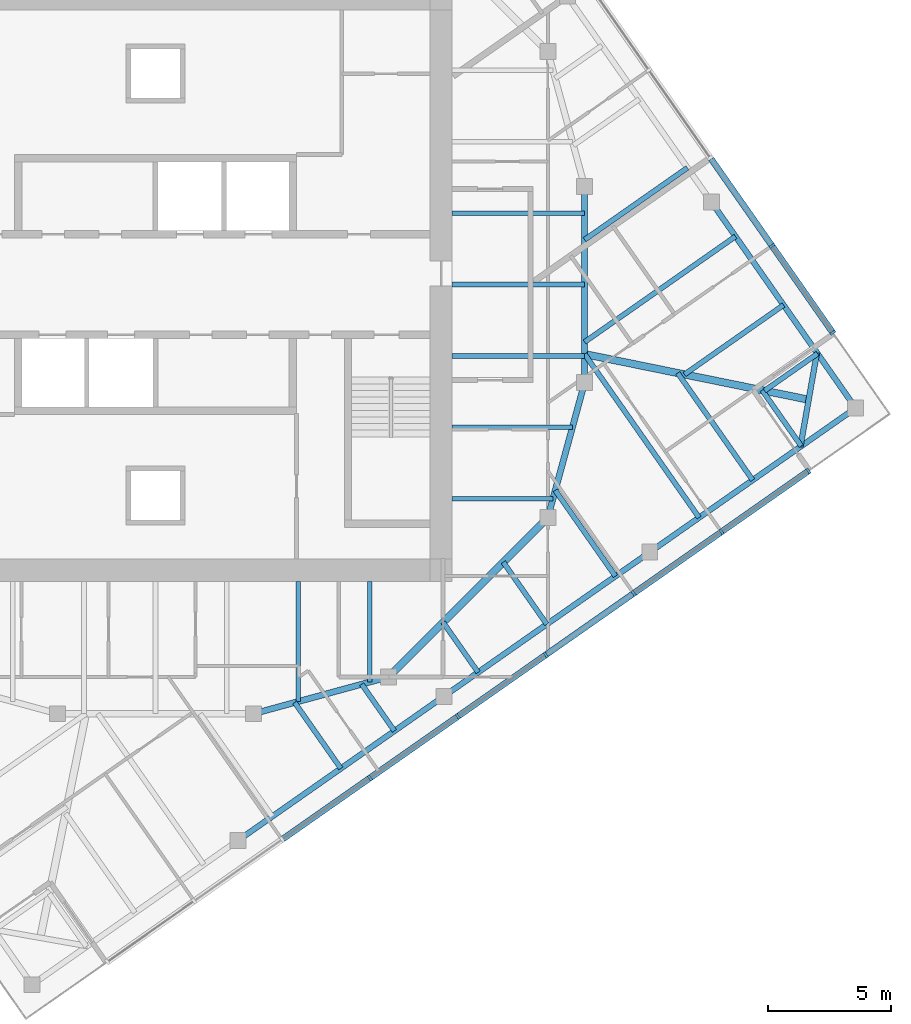
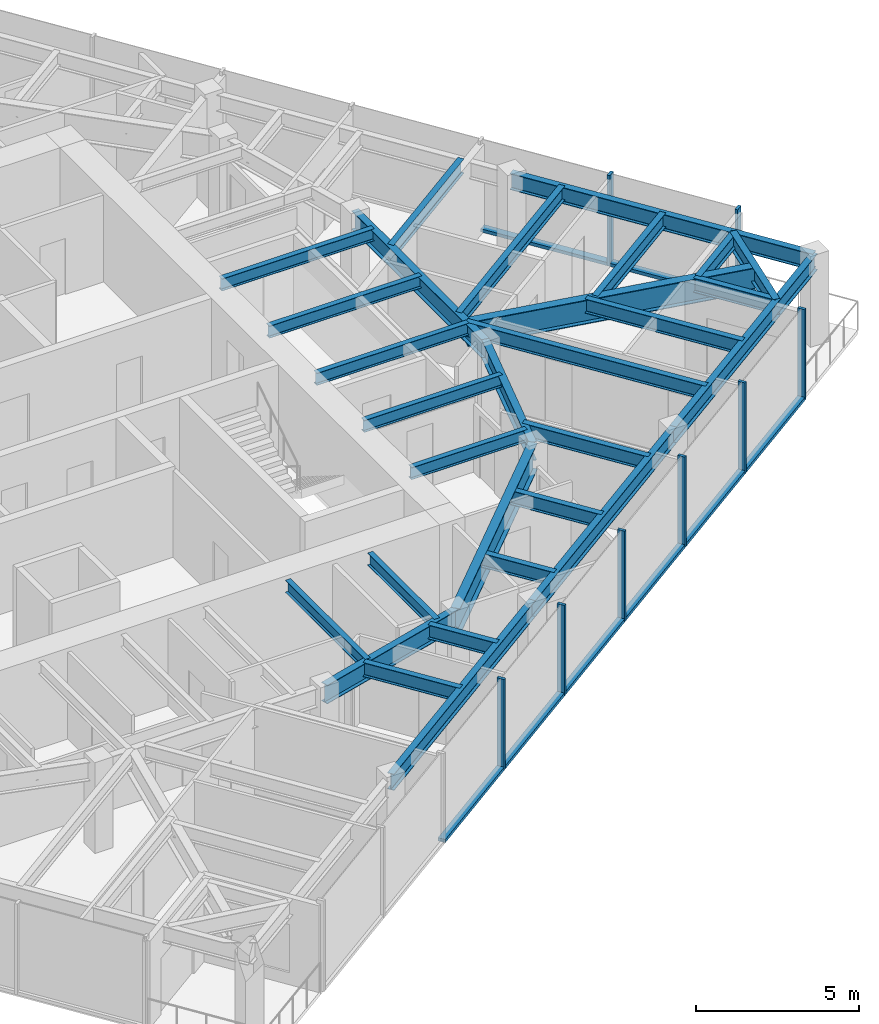
# One storey, part 3 of 12: 29 beams, 16 members, 2 elements without a shape of their own.
"""IFC4 building model written with IfcOpenShell, lengths in metres."""

import ifcopenshell
import ifcopenshell.guid

model = None  # the IFC model being written
_history = None  # IfcOwnerHistory: only IFC2X3 demands one
_inside = {}  # id of a spatial element -> (the spatial element, [elements in it])
_under = {}  # id of a project, library or spatial element -> (it, [spatial elements below it])
_declared = {}  # id of a project -> (the project, [libraries it declares])
_typed = {}  # id of a type object -> (the type object, [elements of that type])
_made_of = {}  # id of a material, layer set ... -> (it, [elements and type objects made of it])


def new_model(schema):
    """Start an empty IFC model of exactly this schema.

    Asked for "IFC4X3", IfcOpenShell would pick the latest addendum, in which some entities
    have other attributes; the version numbers below select the first issue.
    IFC2X3 requires an IfcOwnerHistory on every rooted entity: one is made here for all.
    """
    global model, _history
    if schema == "IFC4X3":
        model = ifcopenshell.file(schema_version=(4, 3, 0, 0))
    else:
        model = ifcopenshell.file(schema=schema)
    _inside.clear()
    _under.clear()
    _declared.clear()
    _typed.clear()
    _made_of.clear()
    _history = None
    if model.schema == "IFC2X3":
        org = make("IfcOrganization", Name="unknown")
        user = make(
            "IfcPersonAndOrganization",
            ThePerson=make("IfcPerson", FamilyName="unknown"),
            TheOrganization=org,
        )
        app = make(
            "IfcApplication",
            ApplicationDeveloper=org,
            Version="unknown",
            ApplicationFullName="unknown",
            ApplicationIdentifier="unknown",
        )
        _history = make(
            "IfcOwnerHistory",
            OwningUser=user,
            OwningApplication=app,
            ChangeAction="ADDED",
            CreationDate=0,
        )
    return model


def make(cls, **values):
    """One entity of the class cls with the attributes given. An attribute that is None is left unset."""
    return model.create_entity(
        cls, **{name: value for name, value in values.items() if value is not None}
    )


def rooted(cls, **values):
    """An entity with a GlobalId (a new one), such as an element, a storey or a relation."""
    return make(cls, GlobalId=ifcopenshell.guid.new(), OwnerHistory=_history, **values)


def si_unit(unit_type, name, prefix=None):
    """IfcSIUnit, for example si_unit("LENGTHUNIT", "METRE", prefix="MILLI")."""
    return make("IfcSIUnit", UnitType=unit_type, Prefix=prefix, Name=name)


def assignment(units):
    """IfcUnitAssignment: the units of a project."""
    return None if units is None else make("IfcUnitAssignment", Units=units)


def point(xyz):
    """IfcCartesianPoint."""
    return None if xyz is None else make("IfcCartesianPoint", Coordinates=xyz)


def direction(xyz):
    """IfcDirection."""
    return None if xyz is None else make("IfcDirection", DirectionRatios=xyz)


def frame(location, z_axis=None, x_axis=None):
    """IfcAxis2Placement3D, a coordinate frame: its origin and axes. An axis left out is left unset."""
    return make(
        "IfcAxis2Placement3D",
        Location=point(location),
        Axis=direction(z_axis),
        RefDirection=direction(x_axis),
    )


def frame_2d(location, x_axis=None):
    """IfcAxis2Placement2D, a coordinate frame in the plane: its origin and x axis."""
    return make(
        "IfcAxis2Placement2D", Location=point(location), RefDirection=direction(x_axis)
    )


def origin():
    """The frame at (0, 0, 0) with its axes left unset."""
    return frame((0.0, 0.0, 0.0))


def origin_2d():
    """The frame at (0, 0) in the plane with its x axis left unset."""
    return frame_2d((0.0, 0.0))


def place(relative_to, where):
    """IfcLocalPlacement: puts the frame where relative to a parent placement (None: the world)."""
    return make(
        "IfcLocalPlacement", PlacementRelTo=relative_to, RelativePlacement=where
    )


def context(
    kind, dimensions, precision=None, world=None, true_north=None, identifier=None
):
    """IfcGeometricRepresentationContext, for example the 3D "Model" context."""
    return make(
        "IfcGeometricRepresentationContext",
        ContextIdentifier=identifier,
        ContextType=kind,
        CoordinateSpaceDimension=dimensions,
        Precision=precision,
        WorldCoordinateSystem=world,
        TrueNorth=true_north,
    )


def subcontext(parent, identifier, kind, view, scale=None):
    """IfcGeometricRepresentationSubContext, for example "Body" below "Model"."""
    return make(
        "IfcGeometricRepresentationSubContext",
        ContextIdentifier=identifier,
        ContextType=kind,
        ParentContext=parent,
        TargetScale=scale,
        TargetView=view,
    )


def project(units=None, contexts=None):
    """IfcProject with its units and contexts."""
    return rooted(
        "IfcProject",
        Name="project",
        RepresentationContexts=contexts,
        UnitsInContext=assignment(units),
    )


def spatial(cls, under=None, at=None, **own):
    """A site, building, storey or space (cls), placed at a placement, below another one or the project."""
    s = rooted(cls, ObjectPlacement=at, **own)
    if under is not None:
        _under.setdefault(under.id(), (under, []))[1].append(s)
    return s


def profile(cls, at=None, kind="AREA", **sizes):
    """A parametric profile (cls). Its sizes go by their IFC names, for example OverallWidth=200.0."""
    return make(cls, ProfileType=kind, Position=at, **sizes)


def rectangle(**sizes):
    """IfcRectangleProfileDef."""
    return profile("IfcRectangleProfileDef", **sizes)


def i_section(**sizes):
    """IfcIShapeProfileDef."""
    return profile("IfcIShapeProfileDef", **sizes)


def extrude(swept, where, along, depth):
    """IfcExtrudedAreaSolid: the profile swept, set in the frame where, extruded along a direction by depth."""
    return make(
        "IfcExtrudedAreaSolid",
        SweptArea=swept,
        Position=where,
        ExtrudedDirection=direction(along),
        Depth=depth,
    )


def shape(context_of_items, identifier, shape_type, items):
    """IfcShapeRepresentation: the items that make up one representation, for example the "Body"."""
    return make(
        "IfcShapeRepresentation",
        ContextOfItems=context_of_items,
        RepresentationIdentifier=identifier,
        RepresentationType=shape_type,
        Items=items,
    )


def material(Name=None, Category=None):
    """IfcMaterial."""
    return make("IfcMaterial", Name=Name, Category=Category)


def material_profile(
    of_material, cross_section, Name=None, Category=None, Priority=None
):
    """IfcMaterialProfile: a cross section and its material."""
    return make(
        "IfcMaterialProfile",
        Name=Name,
        Material=of_material,
        Profile=cross_section,
        Priority=Priority,
        Category=Category,
    )


def profile_set(profiles, Name=None, composite=None):
    """IfcMaterialProfileSet."""
    return make(
        "IfcMaterialProfileSet",
        Name=Name,
        MaterialProfiles=profiles,
        CompositeProfile=composite,
    )


def made_of(thing, what):
    """Note that an element or type object is made of a material, layer set ...; save() writes the relation."""
    if what is not None:
        _made_of.setdefault(what.id(), (what, []))[1].append(thing)
    return thing


def type_object(cls, material=None, **own):
    """A type object (cls), such as IfcWallType, which elements share."""
    return made_of(rooted(cls, **own), material)


def element(
    cls,
    number,
    at=None,
    inside=None,
    cuts=None,
    type_object=None,
    material=None,
    context=None,
    identifier="Body",
    shape_type=None,
    held_by="IfcProductDefinitionShape",
    body=None,
    shapes=None,
    **own,
):
    """One element of the class cls, such as IfcWall. Its Tag is "e" and its number.

    at: its placement. inside: the storey or other place that contains it. cuts: it is an
    opening in that element (IfcRelVoidsElement). A single representation is given by context,
    identifier, shape_type and body (its items); several are given by shapes. held_by: the class
    of the entity that holds the representations. save() writes the other relations.
    """
    e = rooted(cls, Tag="e%d" % number, ObjectPlacement=at, **own)
    if body is not None:
        shapes = [shape(context, identifier, shape_type, body)]
    if shapes is not None:
        e.Representation = make(held_by, Representations=shapes)
    if inside is not None:
        _inside.setdefault(inside.id(), (inside, []))[1].append(e)
    if cuts is not None:
        rooted(
            "IfcRelVoidsElement", RelatingBuildingElement=cuts, RelatedOpeningElement=e
        )
    if type_object is not None:
        _typed.setdefault(type_object.id(), (type_object, []))[1].append(e)
    return made_of(e, material)


def aggregate(whole, parts):
    """IfcRelAggregates: a whole, such as a stair, and the parts it consists of."""
    return rooted("IfcRelAggregates", RelatingObject=whole, RelatedObjects=parts)


def save(model, path):
    """Write the relations noted so far, then the file.

    IfcRelAggregates (storeys below a building ...), IfcRelContainedInSpatialStructure (elements
    in a storey), IfcRelDefinesByType, IfcRelAssociatesMaterial and IfcRelDeclares: one each for
    every whole, place, type object, material and project.
    """
    for whole, parts in _under.values():
        aggregate(whole, parts)
    for where, things in _inside.values():
        rooted(
            "IfcRelContainedInSpatialStructure",
            RelatedElements=things,
            RelatingStructure=where,
        )
    for kind, things in _typed.values():
        rooted("IfcRelDefinesByType", RelatedObjects=things, RelatingType=kind)
    for what, things in _made_of.values():
        rooted("IfcRelAssociatesMaterial", RelatedObjects=things, RelatingMaterial=what)
    for by, libraries in _declared.values():
        rooted("IfcRelDeclares", RelatingContext=by, RelatedDefinitions=libraries)
    model.write(path)


model = new_model("IFC4")

# Units and contexts
model_context = context("Model", 3, precision=1e-05, world=origin(), true_north=direction((0.0, 1.0)))
body_context = subcontext(model_context, "Body", "Model", "MODEL_VIEW")
ifc_project = project(units=[si_unit("LENGTHUNIT", "METRE"), si_unit("AREAUNIT", "SQUARE_METRE"), si_unit("VOLUMEUNIT", "CUBIC_METRE"), si_unit("PLANEANGLEUNIT", "RADIAN"), si_unit("MASSUNIT", "GRAM", prefix="KILO")], contexts=[model_context])

# Site, building, storey
site_placement = place(None, origin())
site = spatial("IfcSite", under=ifc_project, at=site_placement, CompositionType="ELEMENT")
building_placement = place(site_placement, origin())
building = spatial("IfcBuilding", under=site, at=building_placement, Name="Torsade Residences", CompositionType="ELEMENT")
storey_placement = place(building_placement, frame((0.0, 0.0, 250.60009765625)))
storey = spatial("IfcBuildingStorey", under=building, at=storey_placement, Name="L69", CompositionType="ELEMENT", Elevation=250.60009765625)

# Beams
ifc_material_1 = material(Name="Steel grade 300", Category="steel")
ifc_material_profile_1 = material_profile(ifc_material_1, i_section(OverallWidth=0.300048828125, OverallDepth=0.89990234375, WebThickness=0.011962890625, FlangeThickness=0.02490234375, at=origin_2d()), Name="900WB175")
ifc_profile_set_1 = profile_set([ifc_material_profile_1], Name="Steel grade 300")
beam_type_1 = type_object("IfcBeamType", Name="CORNER GIRDER 900WB175", PredefinedType="BEAM", material=ifc_profile_set_1)
beam_1_placement = place(storey_placement, frame((66.635986328125, 25.303466796875, 2.7998046875), z_axis=(-0.979880626756, 0.199584461589, 0.0), x_axis=(-0.199584461589, -0.979880626756, 0.0)))
element("IfcBeam", 1, at=beam_1_placement, inside=storey, type_object=beam_type_1, Name="Corner girder 05 L70", PredefinedType="BEAM", context=body_context, shape_type="SweptSolid", body=[
    extrude(i_section(OverallWidth=0.300048828125, OverallDepth=0.89990234375, WebThickness=0.011962890625, FlangeThickness=0.02490234375, at=origin_2d()), origin(), (0.0, 0.0, 1.0), 9.323486328125),
])
ifc_material_2 = material(Name="Steel grade 300", Category="steel")
ifc_material_profile_2 = material_profile(ifc_material_2, i_section(OverallWidth=0.22802734375, OverallDepth=0.60205078125, WebThickness=0.010498046875, FlangeThickness=0.014892578125, FilletRadius=0.013916015625, at=origin_2d()), Name="610UB101")
ifc_profile_set_2 = profile_set([ifc_material_profile_2], Name="Steel grade 300")
beam_type_2 = type_object("IfcBeamType", Name="CORNER TRIMMER 610UB101", PredefinedType="BEAM", material=ifc_profile_set_2)
beam_2_placement = place(storey_placement, frame((66.9736328125, 27.21826171875, 2.948974609375), z_axis=(-0.173645660267, -0.984808196894, 0.0), x_axis=(0.984808196894, -0.173645660267, 0.0)))
element("IfcBeam", 2, at=beam_2_placement, inside=storey, type_object=beam_type_2, Name="Corner trimmer 05 L70", PredefinedType="BEAM", context=body_context, shape_type="SweptSolid", body=[
    extrude(i_section(OverallWidth=0.22802734375, OverallDepth=0.60205078125, WebThickness=0.010498046875, FlangeThickness=0.014892578125, FilletRadius=0.013916015625, at=origin_2d()), origin(), (0.0, 0.0, 1.0), 3.888916015625),
])
ifc_material_3 = material(Name="Steel grade 300", Category="steel")
ifc_material_profile_3 = material_profile(ifc_material_3, i_section(OverallWidth=0.22900390625, OverallDepth=0.612060546875, WebThickness=0.011962890625, FlangeThickness=0.01953125, FilletRadius=0.013916015625, at=origin_2d()), Name="610UB125")
ifc_profile_set_3 = profile_set([ifc_material_profile_3], Name="Steel grade 300")
beam_type_3 = type_object("IfcBeamType", Name="EDGE BEAM 610UB125", PredefinedType="SPANDREL", material=ifc_profile_set_3)
for number, where, z_axis, x_axis, name in (
    (3, (43.362060546875, 7.328125, 2.94384765625), (0.819150225126, 0.573579034377, 0.0), (-0.573579034377, 0.819150225126, 0.0), "Edge beam 02 L70"),
    (4, (51.75830078125, 13.207275390625, 2.94384765625), (0.819150225126, 0.573579034377, 0.0), (-0.573579034377, 0.819150225126, 0.0), "Edge beam 03 L70"),
):
    element("IfcBeam", number, at=place(storey_placement, frame(where, z_axis=z_axis, x_axis=x_axis)), inside=storey, type_object=beam_type_3, Name=name, PredefinedType="SPANDREL", context=body_context, shape_type="SweptSolid", body=[
        extrude(i_section(OverallWidth=0.22900390625, OverallDepth=0.612060546875, WebThickness=0.011962890625, FlangeThickness=0.01953125, FilletRadius=0.013916015625, at=origin_2d()), origin(), (0.0, 0.0, 1.0), 10.25),
    ])
beam_3_placement = place(storey_placement, frame((60.154541015625, 19.08642578125, 2.94384765625), z_axis=(0.819146870247, 0.573583825578, 0.0), x_axis=(-0.573583825578, 0.819146870247, 0.0)))
element("IfcBeam", 5, at=beam_3_placement, inside=storey, type_object=beam_type_3, Name="Edge beam 04 L70", PredefinedType="SPANDREL", context=body_context, shape_type="SweptSolid", body=[
    extrude(i_section(OverallWidth=0.22900390625, OverallDepth=0.612060546875, WebThickness=0.011962890625, FlangeThickness=0.01953125, FilletRadius=0.013916015625, at=origin_2d()), origin(), (0.0, 0.0, 1.0), 10.250244140625),
])
beam_4_placement = place(storey_placement, frame((68.551025390625, 24.9658203125, 2.94384765625), z_axis=(-0.573579034377, 0.819150225126, 0.0), x_axis=(-0.819150225126, -0.573579034377, 0.0)))
element("IfcBeam", 6, at=beam_4_placement, inside=storey, type_object=beam_type_3, Name="Edge beam 05 L70", PredefinedType="SPANDREL", context=body_context, shape_type="SweptSolid", body=[
    extrude(i_section(OverallWidth=0.22900390625, OverallDepth=0.612060546875, WebThickness=0.011962890625, FlangeThickness=0.01953125, FilletRadius=0.013916015625, at=origin_2d()), origin(), (0.0, 0.0, 1.0), 10.25),
])

# Curtain wall, members
ifc_material_4 = material(Name="Aluminium and glass", Category="aluminium")
curtain_wall_type = type_object("IfcCurtainWallType", Name="FRITTED GLASS CURTAIN WALL HIGH ZONE", PredefinedType="NOTDEFINED", material=ifc_material_4)
curtain_wall_1_placement = place(storey_placement, origin())
curtain_wall_1 = element("IfcCurtainWall", 7, at=curtain_wall_1_placement, inside=storey, type_object=curtain_wall_type, Name="Curtain wall L69 face 1", PredefinedType="NOTDEFINED")
ifc_material_5 = material(Name="Aluminium mullion", Category="aluminium")
ifc_material_profile_4 = material_profile(ifc_material_5, rectangle(XDim=0.25, YDim=0.10009765625, at=origin_2d()), Name="HIGH ZONE CURTAIN WALL MULLION 250x100")
ifc_profile_set_4 = profile_set([ifc_material_profile_4], Name="Aluminium mullion")
member_type_1 = type_object("IfcMemberType", Name="HIGH ZONE CURTAIN WALL MULLION 250x100", PredefinedType="MULLION", material=ifc_profile_set_4)
member_1_placement = place(storey_placement, frame((48.748046875, 9.87890625, 0.0), z_axis=(0.0, 0.0, 1.0), x_axis=(-0.573576457682, 0.819152029353, 0.0)))
member_1 = element("IfcMember", 8, at=member_1_placement, type_object=member_type_1, Name="Mullion 4", PredefinedType="MULLION", context=body_context, shape_type="SweptSolid", body=[
    extrude(rectangle(XDim=0.25, YDim=0.10009765625, at=origin_2d()), origin(), (0.0, 0.0, 1.0), 3.39990234375),
])
member_2_placement = place(storey_placement, frame((52.331787109375, 12.38818359375, 0.0), z_axis=(0.0, 0.0, 1.0), x_axis=(-0.573576457682, 0.819152029353, 0.0)))
member_2 = element("IfcMember", 9, at=member_2_placement, type_object=member_type_1, Name="Mullion 5", PredefinedType="MULLION", context=body_context, shape_type="SweptSolid", body=[
    extrude(rectangle(XDim=0.25, YDim=0.10009765625, at=origin_2d()), origin(), (0.0, 0.0, 1.0), 3.39990234375),
])
member_3_placement = place(storey_placement, frame((55.915771484375, 14.897705078125, 0.0), z_axis=(0.0, 0.0, 1.0), x_axis=(-0.573576457682, 0.819152029353, 0.0)))
member_3 = element("IfcMember", 10, at=member_3_placement, type_object=member_type_1, Name="Mullion 6", PredefinedType="MULLION", context=body_context, shape_type="SweptSolid", body=[
    extrude(rectangle(XDim=0.25, YDim=0.10009765625, at=origin_2d()), origin(), (0.0, 0.0, 1.0), 3.39990234375),
])
member_4_placement = place(storey_placement, frame((59.49951171875, 17.406982421875, 0.0), z_axis=(0.0, 0.0, 1.0), x_axis=(-0.573576457682, 0.819152029353, 0.0)))
member_4 = element("IfcMember", 11, at=member_4_placement, type_object=member_type_1, Name="Mullion 7", PredefinedType="MULLION", context=body_context, shape_type="SweptSolid", body=[
    extrude(rectangle(XDim=0.25, YDim=0.10009765625, at=origin_2d()), origin(), (0.0, 0.0, 1.0), 3.39990234375),
])
member_5_placement = place(storey_placement, frame((63.083251953125, 19.91650390625, 0.0), z_axis=(0.0, 0.0, 1.0), x_axis=(-0.573576457682, 0.819152029353, 0.0)))
member_5 = element("IfcMember", 12, at=member_5_placement, type_object=member_type_1, Name="Mullion 8", PredefinedType="MULLION", context=body_context, shape_type="SweptSolid", body=[
    extrude(rectangle(XDim=0.25, YDim=0.10009765625, at=origin_2d()), origin(), (0.0, 0.0, 1.0), 3.39990234375),
])
member_6_placement = place(storey_placement, frame((66.6259765625, 22.397216796875, 0.0), z_axis=(0.0, 0.0, 1.0), x_axis=(-0.573576457682, 0.819152029353, 0.0)))
member_6 = element("IfcMember", 13, at=member_6_placement, type_object=member_type_1, Name="Mullion 9", PredefinedType="MULLION", context=body_context, shape_type="SweptSolid", body=[
    extrude(rectangle(XDim=0.25, YDim=0.10009765625, at=origin_2d()), origin(), (0.0, 0.0, 1.0), 3.39990234375),
])

curtain_wall_2_placement = place(storey_placement, origin())
curtain_wall_2 = element("IfcCurtainWall", 14, at=curtain_wall_2_placement, inside=storey, type_object=curtain_wall_type, Name="Curtain wall L69 face 4", PredefinedType="NOTDEFINED")
member_7_placement = place(storey_placement, frame((67.62060546875, 28.03759765625, 0.0), z_axis=(0.0, 0.0, 1.0), x_axis=(-0.819152029353, -0.573576457682, 0.0)))
member_7 = element("IfcMember", 15, at=member_7_placement, type_object=member_type_1, Name="Mullion 1", PredefinedType="MULLION", context=body_context, shape_type="SweptSolid", body=[
    extrude(rectangle(XDim=0.25, YDim=0.10009765625, at=origin_2d()), origin(), (0.0, 0.0, 1.0), 3.39990234375),
])
member_8_placement = place(storey_placement, frame((65.139892578125, 31.58056640625, 0.0), z_axis=(0.0, 0.0, 1.0), x_axis=(-0.819152029353, -0.573576457682, 0.0)))
member_8 = element("IfcMember", 16, at=member_8_placement, type_object=member_type_1, Name="Mullion 2", PredefinedType="MULLION", context=body_context, shape_type="SweptSolid", body=[
    extrude(rectangle(XDim=0.25, YDim=0.10009765625, at=origin_2d()), origin(), (0.0, 0.0, 1.0), 3.39990234375),
])

# Member
ifc_material_6 = material(Name="Aluminium transom", Category="aluminium")
ifc_material_profile_5 = material_profile(ifc_material_6, rectangle(XDim=0.25, YDim=0.1201171875, at=origin_2d()), Name="HIGH ZONE CURTAIN WALL TRANSOM 250x120")
ifc_profile_set_5 = profile_set([ifc_material_profile_5], Name="Aluminium transom")
member_type_2 = type_object("IfcMemberType", Name="HIGH ZONE CURTAIN WALL TRANSOM 250x120", PredefinedType="USERDEFINED", material=ifc_profile_set_5)
member_9_placement = place(storey_placement, frame((45.205322265625, 7.398193359375, 0.059814453125), z_axis=(0.819154102984, 0.573573496219, 0.0), x_axis=(-0.573573496219, 0.819154102984, 0.0)))
member_9 = element("IfcMember", 17, at=member_9_placement, type_object=member_type_2, Name="Transom 3.1", ObjectType="TRANSOM", PredefinedType="USERDEFINED", context=body_context, shape_type="SweptSolid", body=[
    extrude(rectangle(XDim=0.25, YDim=0.1201171875, at=origin_2d()), origin(), (0.0, 0.0, 1.0), 4.27490234375),
])

member_10_placement = place(storey_placement, frame((48.7890625, 9.907470703125, 0.059814453125), z_axis=(0.819146058863, 0.57358498433, 0.0), x_axis=(-0.57358498433, 0.819146058863, 0.0)))
member_10 = element("IfcMember", 18, at=member_10_placement, type_object=member_type_2, Name="Transom 4.1", ObjectType="TRANSOM", PredefinedType="USERDEFINED", context=body_context, shape_type="SweptSolid", body=[
    extrude(rectangle(XDim=0.25, YDim=0.1201171875, at=origin_2d()), origin(), (0.0, 0.0, 1.0), 4.275146484375),
])

member_11_placement = place(storey_placement, frame((52.372802734375, 12.4169921875, 0.059814453125), z_axis=(0.81917289067, 0.573546663483, 0.0), x_axis=(-0.573546663483, 0.81917289067, 0.0)))
member_11 = element("IfcMember", 19, at=member_11_placement, type_object=member_type_2, Name="Transom 5.1", ObjectType="TRANSOM", PredefinedType="USERDEFINED", context=body_context, shape_type="SweptSolid", body=[
    extrude(rectangle(XDim=0.25, YDim=0.1201171875, at=origin_2d()), origin(), (0.0, 0.0, 1.0), 4.27490234375),
])

member_12_placement = place(storey_placement, frame((55.95654296875, 14.92626953125, 0.059814453125), z_axis=(0.819146058863, 0.57358498433, 0.0), x_axis=(-0.57358498433, 0.819146058863, 0.0)))
member_12 = element("IfcMember", 20, at=member_12_placement, type_object=member_type_2, Name="Transom 6.1", ObjectType="TRANSOM", PredefinedType="USERDEFINED", context=body_context, shape_type="SweptSolid", body=[
    extrude(rectangle(XDim=0.25, YDim=0.1201171875, at=origin_2d()), origin(), (0.0, 0.0, 1.0), 4.275146484375),
])

member_13_placement = place(storey_placement, frame((59.54052734375, 17.435791015625, 0.059814453125), z_axis=(0.819154102984, 0.573573496219, 0.0), x_axis=(-0.573573496219, 0.819154102984, 0.0)))
member_13 = element("IfcMember", 21, at=member_13_placement, type_object=member_type_2, Name="Transom 7.1", ObjectType="TRANSOM", PredefinedType="USERDEFINED", context=body_context, shape_type="SweptSolid", body=[
    extrude(rectangle(XDim=0.25, YDim=0.1201171875, at=origin_2d()), origin(), (0.0, 0.0, 1.0), 4.27490234375),
])

member_14_placement = place(storey_placement, frame((63.124267578125, 19.945068359375, 0.059814453125), z_axis=(0.819155901234, 0.573570928023, 0.0), x_axis=(-0.573570928023, 0.819155901234, 0.0)))
member_14 = element("IfcMember", 22, at=member_14_placement, type_object=member_type_2, Name="Transom 8.1", ObjectType="TRANSOM", PredefinedType="USERDEFINED", context=body_context, shape_type="SweptSolid", body=[
    extrude(rectangle(XDim=0.25, YDim=0.1201171875, at=origin_2d()), origin(), (0.0, 0.0, 1.0), 4.22509765625),
])

aggregate(curtain_wall_1, [member_1, member_2, member_3, member_4, member_5, member_6, member_9, member_10, member_11, member_12, member_13, member_14])

member_15_placement = place(storey_placement, frame((67.592041015625, 28.07861328125, 0.059814453125), z_axis=(-0.573570928023, 0.819155901234, 0.0), x_axis=(-0.819155901234, -0.573570928023, 0.0)))
member_15 = element("IfcMember", 23, at=member_15_placement, type_object=member_type_2, Name="Transom 1.1", ObjectType="TRANSOM", PredefinedType="USERDEFINED", context=body_context, shape_type="SweptSolid", body=[
    extrude(rectangle(XDim=0.25, YDim=0.1201171875, at=origin_2d()), origin(), (0.0, 0.0, 1.0), 4.22509765625),
])

member_16_placement = place(storey_placement, frame((65.111328125, 31.62158203125, 0.059814453125), z_axis=(-0.573611817101, 0.819127269283, 0.0), x_axis=(-0.819127269283, -0.573611817101, 0.0)))
member_16 = element("IfcMember", 24, at=member_16_placement, type_object=member_type_2, Name="Transom 2.1", ObjectType="TRANSOM", PredefinedType="USERDEFINED", context=body_context, shape_type="SweptSolid", body=[
    extrude(rectangle(XDim=0.25, YDim=0.1201171875, at=origin_2d()), origin(), (0.0, 0.0, 1.0), 4.27490234375),
])

aggregate(curtain_wall_2, [member_7, member_8, member_15, member_16])

# Beams
ifc_material_7 = material(Name="Steel grade 300", Category="steel")
ifc_material_profile_6 = material_profile(ifc_material_7, i_section(OverallWidth=0.18994140625, OverallDepth=0.4541015625, WebThickness=0.008544921875, FlangeThickness=0.0126953125, FilletRadius=0.011474609375, at=origin_2d()), Name="460UB67.1")
ifc_profile_set_6 = profile_set([ifc_material_profile_6], Name="Steel grade 300")
beam_type_4 = type_object("IfcBeamType", Name="INNER FLOOR BEAM 460UB67.1", PredefinedType="JOIST", material=ifc_profile_set_6)
beam_5_placement = place(storey_placement, frame((48.737548828125, 17.89990234375, 3.02294921875), z_axis=(0.0, -1.0, 0.0), x_axis=(1.0, 0.0, 0.0)))
element("IfcBeam", 25, at=beam_5_placement, inside=storey, type_object=beam_type_4, Name="Inner floor beam IS01 L70", PredefinedType="JOIST", context=body_context, shape_type="SweptSolid", body=[
    extrude(i_section(OverallWidth=0.18994140625, OverallDepth=0.4541015625, WebThickness=0.008544921875, FlangeThickness=0.0126953125, FilletRadius=0.011474609375, at=origin_2d()), origin(), (0.0, 0.0, 1.0), 4.10791015625),
])
beam_6_placement = place(storey_placement, frame((45.824951171875, 17.89990234375, 3.02294921875), z_axis=(0.0, -1.0, 0.0), x_axis=(1.0, 0.0, 0.0)))
element("IfcBeam", 26, at=beam_6_placement, inside=storey, type_object=beam_type_4, Name="Inner floor beam IS02 L70", PredefinedType="JOIST", context=body_context, shape_type="SweptSolid", body=[
    extrude(i_section(OverallWidth=0.18994140625, OverallDepth=0.4541015625, WebThickness=0.008544921875, FlangeThickness=0.0126953125, FilletRadius=0.011474609375, at=origin_2d()), origin(), (0.0, 0.0, 1.0), 4.902099609375),
])
beam_7_placement = place(storey_placement, frame((52.10009765625, 21.262451171875, 3.02294921875), z_axis=(1.0, 0.0, 0.0), x_axis=(0.0, 1.0, 0.0)))
element("IfcBeam", 27, at=beam_7_placement, inside=storey, type_object=beam_type_4, Name="Inner floor beam IE01 L70", PredefinedType="JOIST", context=body_context, shape_type="SweptSolid", body=[
    extrude(i_section(OverallWidth=0.18994140625, OverallDepth=0.4541015625, WebThickness=0.008544921875, FlangeThickness=0.0126953125, FilletRadius=0.011474609375, at=origin_2d()), origin(), (0.0, 0.0, 1.0), 4.10791015625),
])
beam_8_placement = place(storey_placement, frame((52.10009765625, 24.175048828125, 3.02294921875), z_axis=(1.0, 0.0, 0.0), x_axis=(0.0, 1.0, 0.0)))
element("IfcBeam", 28, at=beam_8_placement, inside=storey, type_object=beam_type_4, Name="Inner floor beam IE02 L70", PredefinedType="JOIST", context=body_context, shape_type="SweptSolid", body=[
    extrude(i_section(OverallWidth=0.18994140625, OverallDepth=0.4541015625, WebThickness=0.008544921875, FlangeThickness=0.0126953125, FilletRadius=0.011474609375, at=origin_2d()), origin(), (0.0, 0.0, 1.0), 4.902099609375),
])
for number, where, z_axis, x_axis, name in (
    (29, (52.10009765625, 27.08740234375, 3.02294921875), (1.0, 0.0, 0.0), (0.0, 1.0, 0.0), "Inner floor beam IE03 L70"),
    (30, (52.10009765625, 30.0, 3.02294921875), (1.0, 0.0, 0.0), (0.0, 1.0, 0.0), "Inner floor beam IE04 L70"),
    (31, (52.10009765625, 32.91259765625, 3.02294921875), (1.0, 0.0, 0.0), (0.0, 1.0, 0.0), "Inner floor beam IE05 L70"),
):
    element("IfcBeam", number, at=place(storey_placement, frame(where, z_axis=z_axis, x_axis=x_axis)), inside=storey, type_object=beam_type_4, Name=name, PredefinedType="JOIST", context=body_context, shape_type="SweptSolid", body=[
        extrude(i_section(OverallWidth=0.18994140625, OverallDepth=0.4541015625, WebThickness=0.008544921875, FlangeThickness=0.0126953125, FilletRadius=0.011474609375, at=origin_2d()), origin(), (0.0, 0.0, 1.0), 5.39990234375),
    ])
ifc_material_8 = material(Name="Steel grade 300", Category="steel")
ifc_material_profile_7 = material_profile(ifc_material_8, i_section(OverallWidth=0.300048828125, OverallDepth=1.0, WebThickness=0.01611328125, FlangeThickness=0.028076171875, at=origin_2d()), Name="1000WB215")
ifc_profile_set_7 = profile_set([ifc_material_profile_7], Name="Steel grade 300")
beam_type_5 = type_object("IfcBeamType", Name="RING CORNER GIRDER 1000WB215", PredefinedType="BEAM", material=ifc_profile_set_7)
beam_9_placement = place(storey_placement, frame((49.5, 14.0, 2.75), z_axis=(0.707106781187, 0.707106781187, 0.0), x_axis=(-0.707106781187, 0.707106781187, 0.0)))
element("IfcBeam", 32, at=beam_9_placement, inside=storey, type_object=beam_type_5, Name="Ring girder IR15 L70", PredefinedType="BEAM", context=body_context, shape_type="SweptSolid", body=[
    extrude(i_section(OverallWidth=0.300048828125, OverallDepth=1.0, WebThickness=0.01611328125, FlangeThickness=0.028076171875, at=origin_2d()), origin(), (0.0, 0.0, 1.0), 9.1923828125),
])
ifc_material_9 = material(Name="Steel grade 300", Category="steel")
ifc_material_profile_8 = material_profile(ifc_material_9, i_section(OverallWidth=0.25, OverallDepth=0.699951171875, WebThickness=0.010009765625, FlangeThickness=0.02001953125, at=origin_2d()), Name="700WB130")
ifc_profile_set_8 = profile_set([ifc_material_profile_8], Name="Steel grade 300")
beam_type_6 = type_object("IfcBeamType", Name="RING GIRDER 700WB130", PredefinedType="BEAM", material=ifc_profile_set_8)
beam_10_placement = place(storey_placement, frame((57.5, 26.0, 2.89990234375), z_axis=(0.0, 1.0, 0.0), x_axis=(-1.0, 0.0, 0.0)))
element("IfcBeam", 33, at=beam_10_placement, inside=storey, type_object=beam_type_6, Name="Ring girder IR01 L70", PredefinedType="BEAM", context=body_context, shape_type="SweptSolid", body=[
    extrude(i_section(OverallWidth=0.25, OverallDepth=0.699951171875, WebThickness=0.010009765625, FlangeThickness=0.02001953125, at=origin_2d()), origin(), (0.0, 0.0, 1.0), 8.0),
])
for number, where, z_axis, x_axis, name in (
    (34, (44.0, 12.5, 2.89990234375), (0.964763821238, 0.263117405792, 0.0), (-0.263117405792, 0.964763821238, 0.0), "Ring girder IR14 L70"),
    (35, (56.0, 20.5, 2.89990234375), (0.263117405792, 0.964763821238, 0.0), (-0.964763821238, 0.263117405792, 0.0), "Ring girder IR16 L70"),
):
    element("IfcBeam", number, at=place(storey_placement, frame(where, z_axis=z_axis, x_axis=x_axis)), inside=storey, type_object=beam_type_6, Name=name, PredefinedType="BEAM", context=body_context, shape_type="SweptSolid", body=[
        extrude(i_section(OverallWidth=0.25, OverallDepth=0.699951171875, WebThickness=0.010009765625, FlangeThickness=0.02001953125, at=origin_2d()), origin(), (0.0, 0.0, 1.0), 5.700927734375),
    ])
ifc_material_10 = material(Name="Steel grade 300", Category="steel")
ifc_material_profile_9 = material_profile(ifc_material_10, i_section(OverallWidth=0.208984375, OverallDepth=0.532958984375, WebThickness=0.01025390625, FlangeThickness=0.015625, FilletRadius=0.013916015625, at=origin_2d()), Name="530UB92.4")
ifc_profile_set_9 = profile_set([ifc_material_profile_9], Name="Steel grade 300")
beam_type_7 = type_object("IfcBeamType", Name="SECONDARY BEAM 530UB92.4", PredefinedType="JOIST", material=ifc_profile_set_9)
beam_11_placement = place(storey_placement, frame((47.56005859375, 10.267822265625, 2.9833984375), z_axis=(-0.573552173902, 0.819169032504, 0.0), x_axis=(-0.819169032504, -0.573552173902, 0.0)))
element("IfcBeam", 36, at=beam_11_placement, inside=storey, type_object=beam_type_7, Name="Floor beam FS05 L70", PredefinedType="JOIST", context=body_context, shape_type="SweptSolid", body=[
    extrude(i_section(OverallWidth=0.208984375, OverallDepth=0.532958984375, WebThickness=0.01025390625, FlangeThickness=0.015625, FilletRadius=0.013916015625, at=origin_2d()), origin(), (0.0, 0.0, 1.0), 3.283203125),
])
beam_12_placement = place(storey_placement, frame((49.74462890625, 11.79736328125, 2.9833984375), z_axis=(-0.573567996949, 0.819157953557, 0.0), x_axis=(-0.819157953557, -0.573567996949, 0.0)))
element("IfcBeam", 37, at=beam_12_placement, inside=storey, type_object=beam_type_7, Name="Floor beam FS06 L70", PredefinedType="JOIST", context=body_context, shape_type="SweptSolid", body=[
    extrude(i_section(OverallWidth=0.208984375, OverallDepth=0.532958984375, WebThickness=0.01025390625, FlangeThickness=0.015625, FilletRadius=0.013916015625, at=origin_2d()), origin(), (0.0, 0.0, 1.0), 2.326171875),
])
beam_13_placement = place(storey_placement, frame((53.15771484375, 14.187255859375, 2.9833984375), z_axis=(-0.573547823109, 0.819172078752, 0.0), x_axis=(-0.819172078752, -0.573547823109, 0.0)))
element("IfcBeam", 38, at=beam_13_placement, inside=storey, type_object=beam_type_7, Name="Floor beam FS07 L70", PredefinedType="JOIST", context=body_context, shape_type="SweptSolid", body=[
    extrude(i_section(OverallWidth=0.208984375, OverallDepth=0.532958984375, WebThickness=0.01025390625, FlangeThickness=0.015625, FilletRadius=0.013916015625, at=origin_2d()), origin(), (0.0, 0.0, 1.0), 2.491943359375),
])
beam_14_placement = place(storey_placement, frame((55.95654296875, 16.14697265625, 2.9833984375), z_axis=(-0.573600013401, 0.819135534955, 0.0), x_axis=(-0.819135534955, -0.573600013401, 0.0)))
element("IfcBeam", 39, at=beam_14_placement, inside=storey, type_object=beam_type_7, Name="Floor beam FS08 L70", PredefinedType="JOIST", context=body_context, shape_type="SweptSolid", body=[
    extrude(i_section(OverallWidth=0.208984375, OverallDepth=0.532958984375, WebThickness=0.01025390625, FlangeThickness=0.015625, FilletRadius=0.013916015625, at=origin_2d()), origin(), (0.0, 0.0, 1.0), 3.09423828125),
])
beam_15_placement = place(storey_placement, frame((58.755126953125, 18.106689453125, 2.9833984375), z_axis=(-0.573581127575, 0.819148759439, 0.0), x_axis=(-0.819148759439, -0.573581127575, 0.0)))
element("IfcBeam", 40, at=beam_15_placement, inside=storey, type_object=beam_type_7, Name="Floor beam FS09 L70", PredefinedType="JOIST", context=body_context, shape_type="SweptSolid", body=[
    extrude(i_section(OverallWidth=0.208984375, OverallDepth=0.532958984375, WebThickness=0.01025390625, FlangeThickness=0.015625, FilletRadius=0.013916015625, at=origin_2d()), origin(), (0.0, 0.0, 1.0), 4.276123046875),
])
beam_16_placement = place(storey_placement, frame((62.16845703125, 20.49658203125, 2.9833984375), z_axis=(-0.573577087251, 0.819151588523, 0.0), x_axis=(-0.819151588523, -0.573577087251, 0.0)))
element("IfcBeam", 41, at=beam_16_placement, inside=storey, type_object=beam_type_7, Name="Floor beam FS10 L70", PredefinedType="JOIST", context=body_context, shape_type="SweptSolid", body=[
    extrude(i_section(OverallWidth=0.208984375, OverallDepth=0.532958984375, WebThickness=0.01025390625, FlangeThickness=0.015625, FilletRadius=0.013916015625, at=origin_2d()), origin(), (0.0, 0.0, 1.0), 8.13916015625),
])
beam_17_placement = place(storey_placement, frame((64.352783203125, 22.026123046875, 2.9833984375), z_axis=(-0.573597638513, 0.819137197966, 0.0), x_axis=(-0.819137197966, -0.573597638513, 0.0)))
element("IfcBeam", 42, at=beam_17_placement, inside=storey, type_object=beam_type_7, Name="Floor beam FS11 L70", PredefinedType="JOIST", context=body_context, shape_type="SweptSolid", body=[
    extrude(i_section(OverallWidth=0.208984375, OverallDepth=0.532958984375, WebThickness=0.01025390625, FlangeThickness=0.015625, FilletRadius=0.013916015625, at=origin_2d()), origin(), (0.0, 0.0, 1.0), 5.328369140625),
])
beam_18_placement = place(storey_placement, frame((66.332275390625, 23.412353515625, 2.9833984375), z_axis=(-0.573521270253, 0.819190669238, 0.0), x_axis=(-0.819190669238, -0.573521270253, 0.0)))
element("IfcBeam", 43, at=beam_18_placement, inside=storey, type_object=beam_type_7, Name="Floor beam FS12 L70", PredefinedType="JOIST", context=body_context, shape_type="SweptSolid", body=[
    extrude(i_section(OverallWidth=0.208984375, OverallDepth=0.532958984375, WebThickness=0.01025390625, FlangeThickness=0.015625, FilletRadius=0.013916015625, at=origin_2d()), origin(), (0.0, 0.0, 1.0), 2.780517578125),
])
beam_19_placement = place(storey_placement, frame((66.99755859375, 27.184326171875, 2.9833984375), z_axis=(-0.819140666445, -0.573592685254, 0.0), x_axis=(0.573592685254, -0.819140666445, 0.0)))
element("IfcBeam", 44, at=beam_19_placement, inside=storey, type_object=beam_type_7, Name="Floor beam FE01 L70", PredefinedType="JOIST", context=body_context, shape_type="SweptSolid", body=[
    extrude(i_section(OverallWidth=0.208984375, OverallDepth=0.532958984375, WebThickness=0.01025390625, FlangeThickness=0.015625, FilletRadius=0.013916015625, at=origin_2d()), origin(), (0.0, 0.0, 1.0), 2.639892578125),
])
beam_20_placement = place(storey_placement, frame((65.611328125, 29.163818359375, 2.9833984375), z_axis=(-0.819152843027, -0.573575295634, 0.0), x_axis=(0.573575295634, -0.819152843027, 0.0)))
element("IfcBeam", 45, at=beam_20_placement, inside=storey, type_object=beam_type_7, Name="Floor beam FE02 L70", PredefinedType="JOIST", context=body_context, shape_type="SweptSolid", body=[
    extrude(i_section(OverallWidth=0.208984375, OverallDepth=0.532958984375, WebThickness=0.01025390625, FlangeThickness=0.015625, FilletRadius=0.013916015625, at=origin_2d()), origin(), (0.0, 0.0, 1.0), 4.931884765625),
])
beam_21_placement = place(storey_placement, frame((63.651611328125, 31.962646484375, 2.9833984375), z_axis=(-0.819154019917, -0.573573614851, 0.0), x_axis=(0.573573614851, -0.819154019917, 0.0)))
element("IfcBeam", 46, at=beam_21_placement, inside=storey, type_object=beam_type_7, Name="Floor beam FE03 L70", PredefinedType="JOIST", context=body_context, shape_type="SweptSolid", body=[
    extrude(i_section(OverallWidth=0.208984375, OverallDepth=0.532958984375, WebThickness=0.01025390625, FlangeThickness=0.015625, FilletRadius=0.013916015625, at=origin_2d()), origin(), (0.0, 0.0, 1.0), 7.509765625),
])
beam_22_placement = place(storey_placement, frame((61.69189453125, 34.761474609375, 2.9833984375), z_axis=(-0.819142258339, -0.573590411882, 0.0), x_axis=(0.573590411882, -0.819142258339, 0.0)))
element("IfcBeam", 47, at=beam_22_placement, inside=storey, type_object=beam_type_7, Name="Floor beam FE04 L70", PredefinedType="JOIST", context=body_context, shape_type="SweptSolid", body=[
    extrude(i_section(OverallWidth=0.208984375, OverallDepth=0.532958984375, WebThickness=0.01025390625, FlangeThickness=0.015625, FilletRadius=0.013916015625, at=origin_2d()), origin(), (0.0, 0.0, 1.0), 5.117431640625),
])

save(model, "model.ifc")
